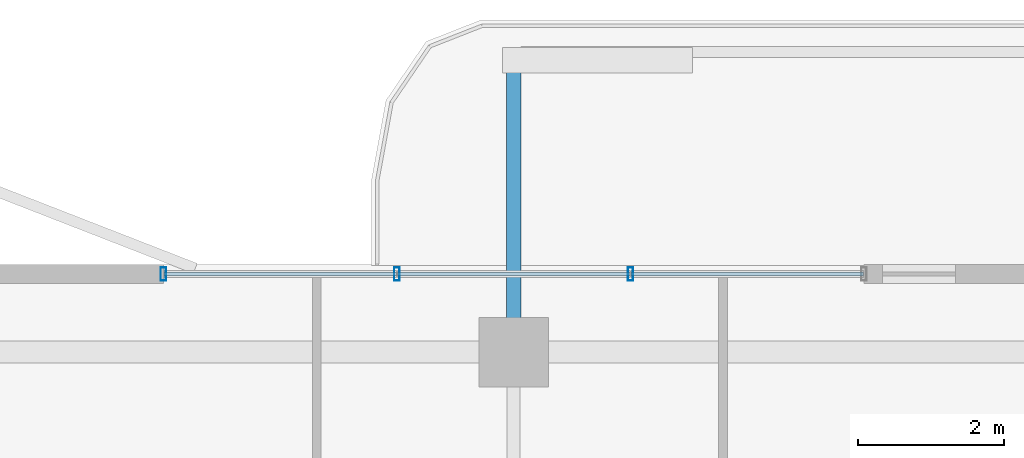
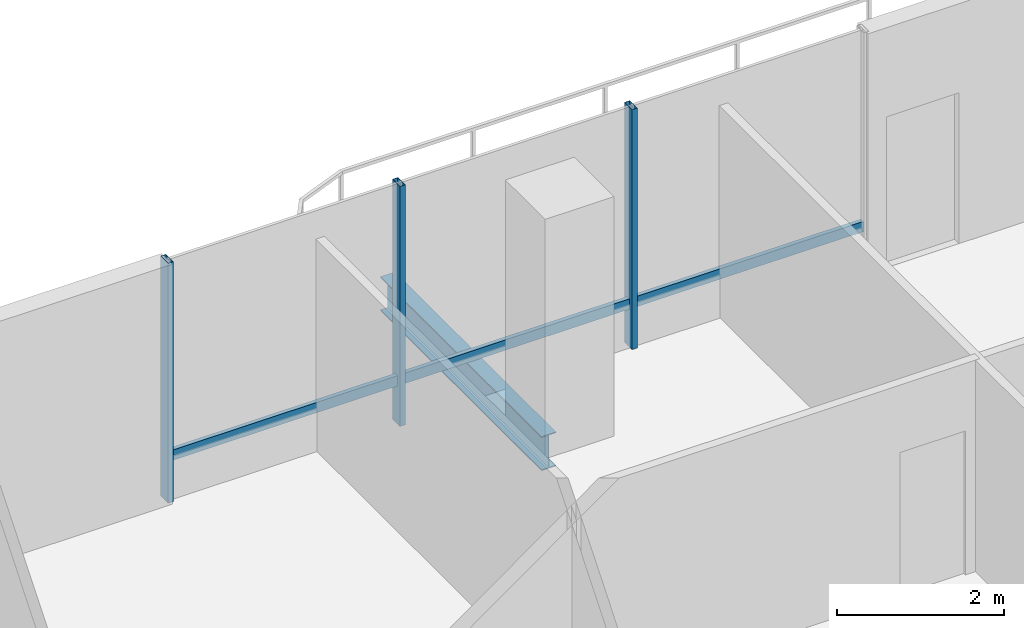
# One storey, part 13 of 25: 6 members, 1 beam, 1 element without a shape of its own.
"""IFC4 building model written with IfcOpenShell, lengths in metres."""

from ifc_helpers import new_model, si_unit, direction, frame, origin, origin_2d, place, context, subcontext, project, spatial, hollow_rectangle, i_section, extrude, material, layer, layer_set, material_profile, profile_set, type_object, element, aggregate, save


model = new_model("IFC4")

# Units and contexts
model_context = context("Model", 3, precision=1e-05, world=origin(), true_north=direction((0.0, 1.0)))
body_context = subcontext(model_context, "Body", "Model", "MODEL_VIEW")
ifc_project = project(units=[si_unit("LENGTHUNIT", "METRE"), si_unit("AREAUNIT", "SQUARE_METRE"), si_unit("VOLUMEUNIT", "CUBIC_METRE"), si_unit("PLANEANGLEUNIT", "RADIAN"), si_unit("MASSUNIT", "GRAM", prefix="KILO")], contexts=[model_context])

# Site, building, storey
site_placement = place(None, origin())
site = spatial("IfcSite", under=ifc_project, at=site_placement, CompositionType="ELEMENT")
building_placement = place(site_placement, origin())
building = spatial("IfcBuilding", under=site, at=building_placement, Name="Belovzor Exchange Tower", CompositionType="ELEMENT")
storey_placement = place(building_placement, frame((0.0, 0.0, 254.10009765625)))
storey = spatial("IfcBuildingStorey", under=building, at=storey_placement, Name="L63", CompositionType="ELEMENT", Elevation=254.10009765625)

# Beam
ifc_material_1 = material(Name="Steel S355", Category="steel")
ifc_material_profile_1 = material_profile(ifc_material_1, i_section(OverallWidth=0.199951171875, OverallDepth=0.5, WebThickness=0.01025390625, FlangeThickness=0.01611328125, at=origin_2d()))
ifc_profile_set_1 = profile_set([ifc_material_profile_1], Name="Steel S355")
beam_type = type_object("IfcBeamType", Name="Planted Balcony Cantilever Beam IPE 500", PredefinedType="BEAM", material=ifc_profile_set_1)
beam_placement = place(storey_placement, frame((28.800048828125, 52.760986328125, -0.5), z_axis=(0.0, 1.0, 0.0), x_axis=(-1.0, 0.0, 0.0)))
element("IfcBeam", 1, at=beam_placement, inside=storey, type_object=beam_type, Name="BC-500 Planted Balcony Cantilever Beam IPE 500", PredefinedType="BEAM", context=body_context, shape_type="SweptSolid", body=[
    extrude(i_section(OverallWidth=0.199951171875, OverallDepth=0.5, WebThickness=0.01025390625, FlangeThickness=0.01611328125, at=origin_2d()), origin(), (0.0, 0.0, 1.0), 3.85009765625),
])

# Curtain wall, members
ifc_material_2 = material(Name="Anodised Aluminium Framing", Category="aluminium")
ifc_layer = layer(ifc_material_2, 0.179931640625)
ifc_layer_set = layer_set([ifc_layer], Name="Anodised Aluminium Framing")
curtain_wall_type = type_object("IfcCurtainWallType", Name="Recessed Loggia Low-Iron Triple-Glazed Curtain Wall", PredefinedType="NOTDEFINED", material=ifc_layer_set)
curtain_wall_placement = place(storey_placement, origin())
curtain_wall = element("IfcCurtainWall", 2, at=curtain_wall_placement, inside=storey, type_object=curtain_wall_type, Name="CW3 Recessed Loggia Low-Iron Triple-Glazed Curtain Wall L63", PredefinedType="NOTDEFINED")
ifc_material_3 = material(Name="Steel S355", Category="steel")
ifc_material_profile_2 = material_profile(ifc_material_3, hollow_rectangle(XDim=0.074951171875, YDim=0.179931640625, WallThickness=0.0048828125, at=origin_2d()))
ifc_profile_set_2 = profile_set([ifc_material_profile_2], Name="Steel S355")
member_type_1 = type_object("IfcMemberType", Name="Thermally Broken Curtain Wall Mullion 180x75", PredefinedType="MULLION", material=ifc_profile_set_2)
member_1_placement = place(storey_placement, frame((24.0, 53.570068359375, 0.0), z_axis=(0.0, 0.0, 1.0), x_axis=(1.0, 0.0, 0.0)))
member_1 = element("IfcMember", 3, at=member_1_placement, type_object=member_type_1, Name="CW-M180 Curtain Wall Mullion 1", PredefinedType="MULLION", context=body_context, shape_type="SweptSolid", body=[
    extrude(hollow_rectangle(XDim=0.074951171875, YDim=0.179931640625, WallThickness=0.0048828125, at=origin_2d()), origin(), (0.0, 0.0, 1.0), 3.5),
])
member_2_placement = place(storey_placement, frame((27.199951171875, 53.570068359375, 0.0), z_axis=(0.0, 0.0, 1.0), x_axis=(1.0, 0.0, 0.0)))
member_2 = element("IfcMember", 4, at=member_2_placement, type_object=member_type_1, Name="CW-M180 Curtain Wall Mullion 2", PredefinedType="MULLION", context=body_context, shape_type="SweptSolid", body=[
    extrude(hollow_rectangle(XDim=0.074951171875, YDim=0.179931640625, WallThickness=0.0048828125, at=origin_2d()), origin(), (0.0, 0.0, 1.0), 3.5),
])
member_3_placement = place(storey_placement, frame((30.39990234375, 53.570068359375, 0.0), z_axis=(0.0, 0.0, 1.0), x_axis=(1.0, 0.0, 0.0)))
member_3 = element("IfcMember", 5, at=member_3_placement, type_object=member_type_1, Name="CW-M180 Curtain Wall Mullion 3", PredefinedType="MULLION", context=body_context, shape_type="SweptSolid", body=[
    extrude(hollow_rectangle(XDim=0.074951171875, YDim=0.179931640625, WallThickness=0.0048828125, at=origin_2d()), origin(), (0.0, 0.0, 1.0), 3.5),
])
ifc_material_4 = material(Name="Steel S355", Category="steel")
ifc_material_profile_3 = material_profile(ifc_material_4, hollow_rectangle(XDim=0.06005859375, YDim=0.14990234375, WallThickness=0.00390625, at=origin_2d()))
ifc_profile_set_3 = profile_set([ifc_material_profile_3], Name="Steel S355")
member_type_2 = type_object("IfcMemberType", Name="Thermally Broken Curtain Wall Transom 150x60", PredefinedType="USERDEFINED", material=ifc_profile_set_3)
member_4_placement = place(storey_placement, frame((24.008056640625, 53.570068359375, 0.6298828125), z_axis=(1.0, 0.0, 0.0), x_axis=(0.0, 1.0, 0.0)))
member_4 = element("IfcMember", 6, at=member_4_placement, type_object=member_type_2, Name="CW-T150 Curtain Wall Transom 1", ObjectType="TRANSOM", PredefinedType="USERDEFINED", context=body_context, shape_type="SweptSolid", body=[
    extrude(hollow_rectangle(XDim=0.06005859375, YDim=0.14990234375, WallThickness=0.00390625, at=origin_2d()), origin(), (0.0, 0.0, 1.0), 3.183837890625),
])
member_5_placement = place(storey_placement, frame((27.2080078125, 53.570068359375, 0.6298828125), z_axis=(1.0, 0.0, 0.0), x_axis=(0.0, 1.0, 0.0)))
member_5 = element("IfcMember", 7, at=member_5_placement, type_object=member_type_2, Name="CW-T150 Curtain Wall Transom 2", ObjectType="TRANSOM", PredefinedType="USERDEFINED", context=body_context, shape_type="SweptSolid", body=[
    extrude(hollow_rectangle(XDim=0.06005859375, YDim=0.14990234375, WallThickness=0.00390625, at=origin_2d()), origin(), (0.0, 0.0, 1.0), 3.18408203125),
])
member_6_placement = place(storey_placement, frame((30.407958984375, 53.570068359375, 0.6298828125), z_axis=(1.0, 0.0, 0.0), x_axis=(0.0, 1.0, 0.0)))
member_6 = element("IfcMember", 8, at=member_6_placement, type_object=member_type_2, Name="CW-T150 Curtain Wall Transom 3", ObjectType="TRANSOM", PredefinedType="USERDEFINED", context=body_context, shape_type="SweptSolid", body=[
    extrude(hollow_rectangle(XDim=0.06005859375, YDim=0.14990234375, WallThickness=0.00390625, at=origin_2d()), origin(), (0.0, 0.0, 1.0), 3.18408203125),
])
aggregate(curtain_wall, [member_1, member_2, member_3, member_4, member_5, member_6])

save(model, "model.ifc")
